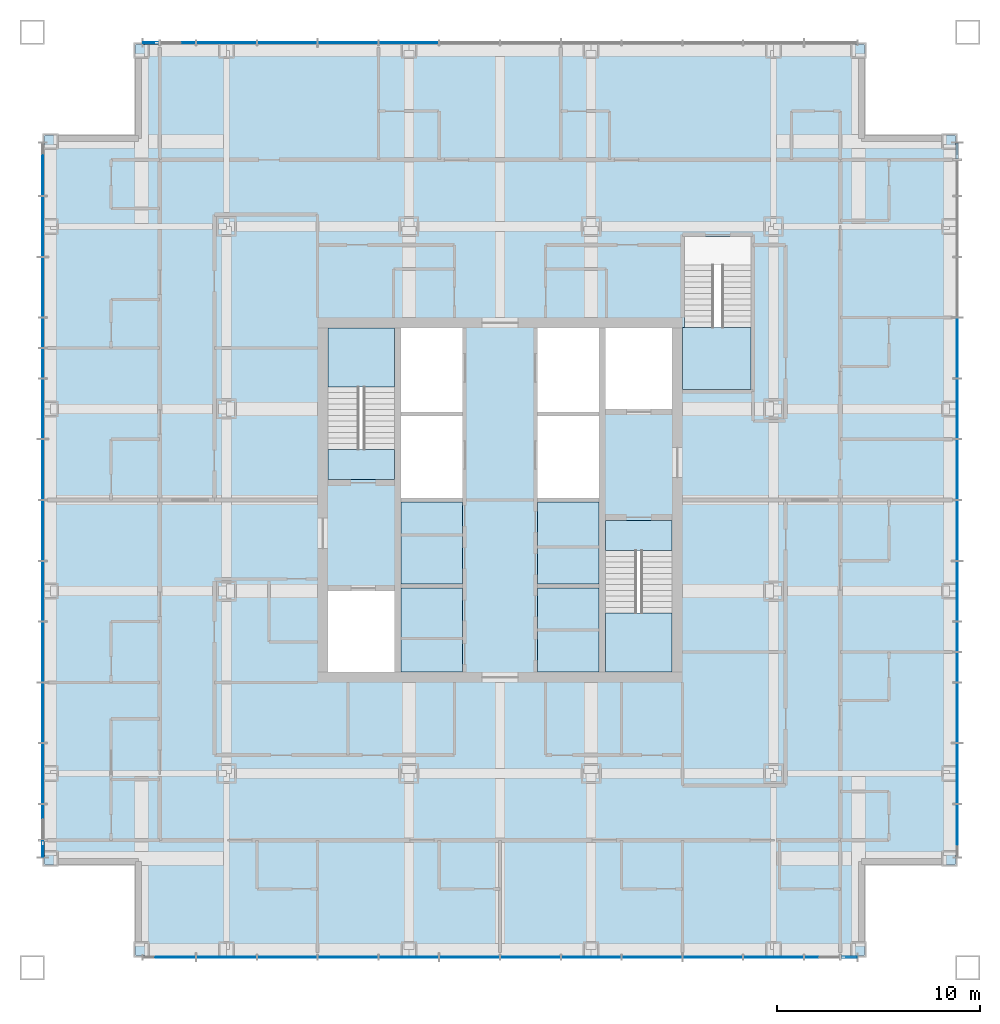
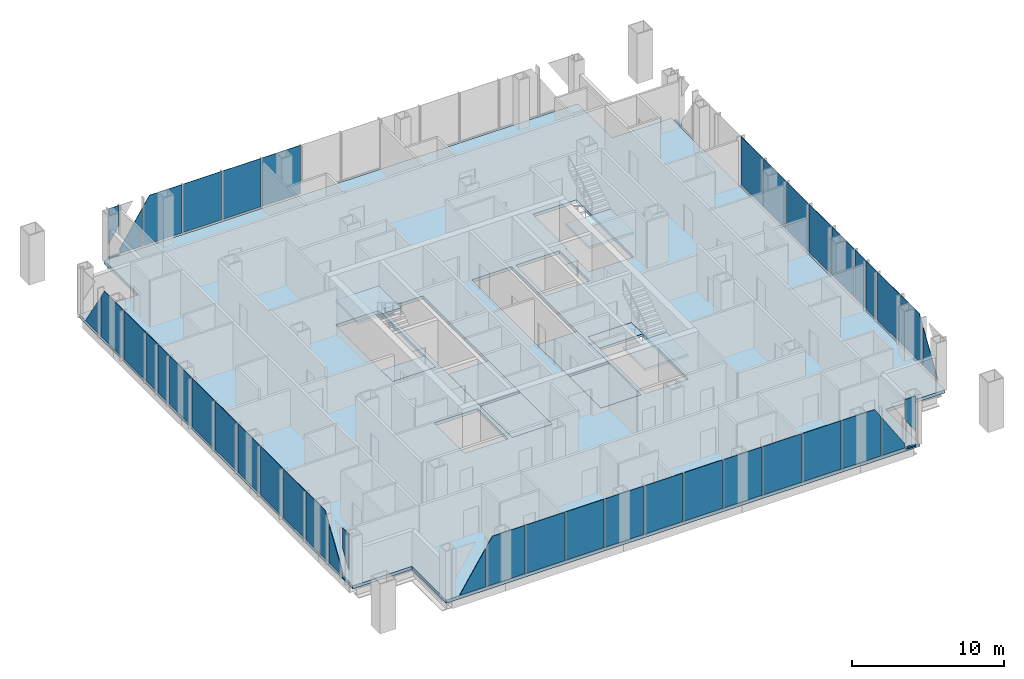
# One storey, part 5 of 15: 43 plates, 10 slabs, 4 members, 7 elements without a shape of their own.
"""IFC4 building model written with IfcOpenShell, lengths in metres."""

from ifc_helpers import new_model, si_unit, direction, frame, origin, origin_2d, place, context, subcontext, project, spatial, polyline, rectangle, outline, extrude, material, layer, layer_set, material_profile, profile_set, type_object, element, aggregate, save


model = new_model("IFC4")

# Units and contexts
model_context = context("Model", 3, precision=1e-05, world=origin(), true_north=direction((0.0, 1.0)))
body_context = subcontext(model_context, "Body", "Model", "MODEL_VIEW")
ifc_project = project(units=[si_unit("LENGTHUNIT", "METRE"), si_unit("AREAUNIT", "SQUARE_METRE"), si_unit("VOLUMEUNIT", "CUBIC_METRE"), si_unit("PLANEANGLEUNIT", "RADIAN"), si_unit("MASSUNIT", "GRAM", prefix="KILO")], contexts=[model_context])

# Site, building, storey
site_placement = place(None, origin())
site = spatial("IfcSite", under=ifc_project, at=site_placement, CompositionType="ELEMENT")
building_placement = place(site_placement, origin())
building = spatial("IfcBuilding", under=site, at=building_placement, Name="Malebo Sky Hospital", CompositionType="ELEMENT")
storey_placement = place(building_placement, frame((0.0, 0.0, 217.0)))
storey = spatial("IfcBuildingStorey", under=building, at=storey_placement, Name="L52", CompositionType="ELEMENT", Elevation=217.0)

# Curtain wall, member
ifc_material_1 = material(Name="Anodised aluminium, natural silver", Category="aluminium")
ifc_layer_1 = layer(ifc_material_1, 0.25)
ifc_layer_set_1 = layer_set([ifc_layer_1], Name="WARD CURTAIN WALL NORTH AND SOUTH")
curtain_wall_type_1 = type_object("IfcCurtainWallType", Name="WARD CURTAIN WALL NORTH AND SOUTH", PredefinedType="NOTDEFINED", material=ifc_layer_set_1)
curtain_wall_1_placement = place(storey_placement, origin())
curtain_wall_1 = element("IfcCurtainWall", 1, at=curtain_wall_1_placement, inside=storey, type_object=curtain_wall_type_1, Name="NS curtain wall N", PredefinedType="NOTDEFINED")
ifc_material_profile = material_profile(ifc_material_1, rectangle(XDim=0.14990234375, YDim=0.10009765625, at=origin_2d()), Name="ALUMINIUM TRANSOM 150x100")
ifc_profile_set = profile_set([ifc_material_profile], Name="Anodised aluminium, natural silver")
member_type = type_object("IfcMemberType", Name="ALUMINIUM TRANSOM 150x100", PredefinedType="USERDEFINED", material=ifc_profile_set)
member_1_placement = place(storey_placement, frame((42.375, 84.574951171875, 0.050048828125), z_axis=(1.0, 0.0, 0.0), x_axis=(0.0, 1.0, 0.0)))
member_1 = element("IfcMember", 2, at=member_1_placement, type_object=member_type, Name="Transom 1", ObjectType="TRANSOM", PredefinedType="USERDEFINED", context=body_context, shape_type="SweptSolid", body=[
    extrude(rectangle(XDim=0.14990234375, YDim=0.10009765625, at=origin_2d()), origin(), (0.0, 0.0, 1.0), 0.78759765625),
])

ifc_layer_2 = layer(ifc_material_1, 0.25)
ifc_layer_set_2 = layer_set([ifc_layer_2], Name="WARD CURTAIN WALL EAST AND WEST")
curtain_wall_type_2 = type_object("IfcCurtainWallType", Name="WARD CURTAIN WALL EAST AND WEST", PredefinedType="NOTDEFINED", material=ifc_layer_set_2)
curtain_wall_2_placement = place(storey_placement, origin())
curtain_wall_2 = element("IfcCurtainWall", 3, at=curtain_wall_2_placement, inside=storey, type_object=curtain_wall_type_2, Name="EW curtain wall W", PredefinedType="NOTDEFINED")
member_2_placement = place(storey_placement, frame((37.425048828125, 44.375, 0.050048828125), z_axis=(0.0, 1.0, 0.0), x_axis=(-1.0, 0.0, 0.0)))
member_2 = element("IfcMember", 4, at=member_2_placement, type_object=member_type, Name="Transom 1", ObjectType="TRANSOM", PredefinedType="USERDEFINED", context=body_context, shape_type="SweptSolid", body=[
    extrude(rectangle(XDim=0.14990234375, YDim=0.10009765625, at=origin_2d()), origin(), (0.0, 0.0, 1.0), 0.78759765625),
])

curtain_wall_3_placement = place(storey_placement, origin())
curtain_wall_3 = element("IfcCurtainWall", 5, at=curtain_wall_3_placement, inside=storey, type_object=curtain_wall_type_1, Name="NS curtain wall S", PredefinedType="NOTDEFINED")
member_3_placement = place(storey_placement, frame((77.625, 39.425048828125, 0.050048828125), z_axis=(-1.0, 0.0, 0.0), x_axis=(0.0, -1.0, 0.0)))
member_3 = element("IfcMember", 6, at=member_3_placement, type_object=member_type, Name="Transom 1", ObjectType="TRANSOM", PredefinedType="USERDEFINED", context=body_context, shape_type="SweptSolid", body=[
    extrude(rectangle(XDim=0.14990234375, YDim=0.10009765625, at=origin_2d()), origin(), (0.0, 0.0, 1.0), 0.78759765625),
])

curtain_wall_4_placement = place(storey_placement, origin())
curtain_wall_4 = element("IfcCurtainWall", 7, at=curtain_wall_4_placement, inside=storey, type_object=curtain_wall_type_2, Name="EW curtain wall E", PredefinedType="NOTDEFINED")
member_4_placement = place(storey_placement, frame((82.574951171875, 79.625, 0.050048828125), z_axis=(0.0, -1.0, 0.0), x_axis=(1.0, 0.0, 0.0)))
member_4 = element("IfcMember", 8, at=member_4_placement, type_object=member_type, Name="Transom 1", ObjectType="TRANSOM", PredefinedType="USERDEFINED", context=body_context, shape_type="SweptSolid", body=[
    extrude(rectangle(XDim=0.14990234375, YDim=0.10009765625, at=origin_2d()), origin(), (0.0, 0.0, 1.0), 0.78759765625),
])

# Slabs
ifc_material_2 = material(Name="Concrete C40/50", Category="concrete")
ifc_layer_3 = layer(ifc_material_2, 0.25)
ifc_layer_set_3 = layer_set([ifc_layer_3], Name="COMPOSITE FLOOR SLAB 250")
slab_type_1 = type_object("IfcSlabType", Name="COMPOSITE FLOOR SLAB 250", PredefinedType="FLOOR", material=ifc_layer_set_3)
slab_1_placement = place(storey_placement, frame((0.0, 0.0, -0.25)))
element("IfcSlab", 9, at=slab_1_placement, inside=storey, type_object=slab_type_1, Name="Floor slab L52", PredefinedType="FLOOR", context=body_context, shape_type="SweptSolid", body=[
    extrude(outline(polyline([(42.0, 84.5), (42.0, 80.0), (37.5, 80.0), (37.5, 44.0), (42.0, 44.0), (42.0, 39.5), (78.0, 39.5), (78.0, 44.0), (82.5, 44.0), (82.5, 80.0), (78.0, 80.0), (78.0, 84.5), (42.0, 84.5)]), holes=[polyline([(55.10009765625, 70.5), (58.14990234375, 70.5), (58.14990234375, 53.5), (55.10009765625, 53.5), (55.10009765625, 70.5)]), polyline([(64.89990234375, 70.5), (64.89990234375, 53.5), (61.85009765625, 53.5), (61.85009765625, 70.5), (64.89990234375, 70.5)]), polyline([(54.800048828125, 63.0), (51.5, 63.0), (51.5, 70.5), (54.800048828125, 70.5), (54.800048828125, 63.0)]), polyline([(51.5, 53.5), (51.5, 57.5), (54.800048828125, 57.5), (54.800048828125, 53.5), (51.5, 53.5)]), polyline([(65.199951171875, 61.0), (68.5, 61.0), (68.5, 53.5), (65.199951171875, 53.5), (65.199951171875, 61.0)]), polyline([(68.5, 70.5), (68.5, 66.5), (65.199951171875, 66.5), (65.199951171875, 70.5), (68.5, 70.5)]), polyline([(69.0, 67.449951171875), (69.0, 70.52001953125), (69.10009765625, 70.52001953125), (69.10009765625, 75.0), (72.39990234375, 75.0), (72.39990234375, 67.449951171875), (69.10009765625, 67.449951171875), (69.0, 67.449951171875)])]), origin(), (0.0, 0.0, 1.0), 0.25),
])
ifc_layer_4 = layer(ifc_material_2, 0.25)
ifc_layer_set_4 = layer_set([ifc_layer_4], Name="SHAFT INFILL SLAB 250")
slab_type_2 = type_object("IfcSlabType", Name="SHAFT INFILL SLAB 250", PredefinedType="FLOOR", material=ifc_layer_set_4)
slab_2_placement = place(storey_placement, frame((0.0, 0.0, -0.25)))
element("IfcSlab", 10, at=slab_2_placement, inside=storey, type_object=slab_type_2, Name="Shaft infill slab W1 L52", PredefinedType="FLOOR", context=body_context, shape_type="SweptSolid", body=[
    extrude(outline(polyline([(55.10009765625, 53.5), (58.14990234375, 53.5), (58.14990234375, 57.64990234375), (55.10009765625, 57.64990234375), (55.10009765625, 53.5)])), origin(), (0.0, 0.0, 1.0), 0.25),
])
slab_3_placement = place(storey_placement, frame((0.0, 0.0, -0.25)))
element("IfcSlab", 11, at=slab_3_placement, inside=storey, type_object=slab_type_2, Name="Shaft infill slab W2 L52", PredefinedType="FLOOR", context=body_context, shape_type="SweptSolid", body=[
    extrude(outline(polyline([(55.10009765625, 57.85009765625), (58.14990234375, 57.85009765625), (58.14990234375, 61.89990234375), (55.10009765625, 61.89990234375), (55.10009765625, 57.85009765625)])), origin(), (0.0, 0.0, 1.0), 0.25),
])
slab_4_placement = place(storey_placement, frame((0.0, 0.0, -0.25)))
element("IfcSlab", 12, at=slab_4_placement, inside=storey, type_object=slab_type_2, Name="Shaft infill slab E1 L52", PredefinedType="FLOOR", context=body_context, shape_type="SweptSolid", body=[
    extrude(outline(polyline([(61.85009765625, 53.5), (64.89990234375, 53.5), (64.89990234375, 57.64990234375), (61.85009765625, 57.64990234375), (61.85009765625, 53.5)])), origin(), (0.0, 0.0, 1.0), 0.25),
])
slab_5_placement = place(storey_placement, frame((0.0, 0.0, -0.25)))
element("IfcSlab", 13, at=slab_5_placement, inside=storey, type_object=slab_type_2, Name="Shaft infill slab E2 L52", PredefinedType="FLOOR", context=body_context, shape_type="SweptSolid", body=[
    extrude(outline(polyline([(61.85009765625, 57.85009765625), (64.89990234375, 57.85009765625), (64.89990234375, 61.89990234375), (61.85009765625, 61.89990234375), (61.85009765625, 57.85009765625)])), origin(), (0.0, 0.0, 1.0), 0.25),
])

# Stair, slabs
stair_type_1 = type_object("IfcStairType", Name="HALF-TURN STAIR 1500 R167", PredefinedType="HALF_TURN_STAIR", material=ifc_material_2)
stair_1_placement = place(storey_placement, origin())
stair_1 = element("IfcStair", 14, at=stair_1_placement, inside=storey, type_object=stair_type_1, Name="Stair S1 L52 type ST1", PredefinedType="HALF_TURN_STAIR")
ifc_layer_5 = layer(ifc_material_2, 0.199951171875)
ifc_layer_set_5 = layer_set([ifc_layer_5], Name="STAIR LANDING 200")
slab_type_3 = type_object("IfcSlabType", Name="STAIR LANDING 200", PredefinedType="LANDING", material=ifc_layer_set_5)
slab_6_placement = place(storey_placement, frame((0.0, 0.0, -0.199951171875)))
slab_6 = element("IfcSlab", 15, at=slab_6_placement, type_object=slab_type_3, Name="S1 landing 1", PredefinedType="LANDING", context=body_context, shape_type="SweptSolid", body=[
    extrude(outline(polyline([(51.5, 63.0), (54.800048828125, 63.0), (54.800048828125, 64.5), (51.5, 64.5), (51.5, 63.0)])), origin(), (0.0, 0.0, 1.0), 0.199951171875),
])
slab_7_placement = place(storey_placement, frame((0.0, 0.0, 1.800048828125)))
slab_7 = element("IfcSlab", 16, at=slab_7_placement, type_object=slab_type_3, Name="S1 landing 2", PredefinedType="LANDING", context=body_context, shape_type="SweptSolid", body=[
    extrude(outline(polyline([(51.5, 67.580078125), (54.800048828125, 67.580078125), (54.800048828125, 70.5), (51.5, 70.5), (51.5, 67.580078125)])), origin(), (0.0, 0.0, 1.0), 0.199951171875),
])
aggregate(stair_1, [slab_6, slab_7])

stair_2_placement = place(storey_placement, origin())
stair_2 = element("IfcStair", 17, at=stair_2_placement, inside=storey, type_object=stair_type_1, Name="Stair S2 L52 type ST1", PredefinedType="HALF_TURN_STAIR")
slab_8_placement = place(storey_placement, frame((0.0, 0.0, -0.199951171875)))
slab_8 = element("IfcSlab", 18, at=slab_8_placement, type_object=slab_type_3, Name="S2 landing 1", PredefinedType="LANDING", context=body_context, shape_type="SweptSolid", body=[
    extrude(outline(polyline([(65.199951171875, 59.5), (68.5, 59.5), (68.5, 61.0), (65.199951171875, 61.0), (65.199951171875, 59.5)])), origin(), (0.0, 0.0, 1.0), 0.199951171875),
])
slab_9_placement = place(storey_placement, frame((0.0, 0.0, 1.800048828125)))
slab_9 = element("IfcSlab", 19, at=slab_9_placement, type_object=slab_type_3, Name="S2 landing 2", PredefinedType="LANDING", context=body_context, shape_type="SweptSolid", body=[
    extrude(outline(polyline([(65.199951171875, 53.5), (68.5, 53.5), (68.5, 56.419921875), (65.199951171875, 56.419921875), (65.199951171875, 53.5)])), origin(), (0.0, 0.0, 1.0), 0.199951171875),
])
aggregate(stair_2, [slab_8, slab_9])

# Stair, slab
stair_type_2 = type_object("IfcStairType", Name="HALF-TURN STAIR 1400 R167", PredefinedType="HALF_TURN_STAIR", material=ifc_material_2)
stair_3_placement = place(storey_placement, origin())
stair_3 = element("IfcStair", 20, at=stair_3_placement, inside=storey, type_object=stair_type_2, Name="Stair S3 L52 type ST1B", PredefinedType="HALF_TURN_STAIR")
slab_10_placement = place(storey_placement, frame((0.0, 0.0, 1.800048828125)))
slab_10 = element("IfcSlab", 21, at=slab_10_placement, type_object=slab_type_3, Name="S3 landing 2", PredefinedType="LANDING", context=body_context, shape_type="SweptSolid", body=[
    extrude(outline(polyline([(69.0, 67.449951171875), (72.39990234375, 67.449951171875), (72.39990234375, 70.52001953125), (69.0, 70.52001953125), (69.0, 67.449951171875)])), origin(), (0.0, 0.0, 1.0), 0.199951171875),
])
aggregate(stair_3, [slab_10])

# Plate
ifc_material_3 = material(Name="Clear low-iron double glazing", Category="glass")
ifc_layer_6 = layer(ifc_material_3, 0.031982421875)
ifc_layer_set_6 = layer_set([ifc_layer_6], Name="VISION PANEL CLEAR 32")
plate_type = type_object("IfcPlateType", Name="VISION PANEL CLEAR 32", PredefinedType="CURTAIN_PANEL", material=ifc_layer_set_6)
plate_1_placement = place(storey_placement, frame((42.768798828125, 84.574951171875, 1.105712890625), z_axis=(0.0, 0.0, 1.0), x_axis=(1.0, 0.0, 0.0)))
plate_1 = element("IfcPlate", 22, at=plate_1_placement, type_object=plate_type, Name="Panel 1", PredefinedType="CURTAIN_PANEL", context=body_context, shape_type="SweptSolid", body=[
    extrude(outline(polyline([(-0.393798828125, 0.0), (0.393798828125, 1.227294921875), (0.393798828125, 2.88427734375), (-0.393798828125, 2.88427734375), (-0.393798828125, 0.0)])), frame((0.0, 0.01611328125, 0.0), z_axis=(0.0, -1.0, 0.0), x_axis=(1.0, 0.0, 0.0)), (0.0, 0.0, 1.0), 0.031982421875),
])

plate_2_placement = place(storey_placement, frame((44.10009765625, 84.574951171875, 0.10009765625), z_axis=(0.0, 0.0, 1.0), x_axis=(1.0, 0.0, 0.0)))
plate_2 = element("IfcPlate", 23, at=plate_2_placement, type_object=plate_type, Name="Panel 2", PredefinedType="CURTAIN_PANEL", context=body_context, shape_type="SweptSolid", body=[
    extrude(outline(polyline([(-0.862548828125, 0.0), (0.862548828125, 0.0), (0.862548828125, 3.092041015625), (-0.862548828125, 0.40380859375), (-0.862548828125, 0.0)])), frame((0.0, 0.01611328125, 0.0), z_axis=(0.0, -1.0, 0.0), x_axis=(1.0, 0.0, 0.0)), (0.0, 0.0, 1.0), 0.031982421875),
])

plate_3_placement = place(storey_placement, frame((46.5, 84.574951171875, 0.10009765625), z_axis=(0.0, 0.0, 1.0), x_axis=(1.0, 0.0, 0.0)))
plate_3 = element("IfcPlate", 24, at=plate_3_placement, type_object=plate_type, Name="Panel 3", PredefinedType="CURTAIN_PANEL", context=body_context, shape_type="SweptSolid", body=[
    extrude(outline(polyline([(-1.46240234375, 0.0), (1.46240234375, 0.0), (1.46240234375, 3.889892578125), (-1.025390625, 3.889892578125), (-1.46240234375, 3.208984375), (-1.46240234375, 0.0)])), frame((0.0, 0.01611328125, 0.0), z_axis=(0.0, -1.0, 0.0), x_axis=(1.0, 0.0, 0.0)), (0.0, 0.0, 1.0), 0.031982421875),
])

plate_4_placement = place(storey_placement, frame((49.5, 84.574951171875, 0.10009765625), z_axis=(0.0, 0.0, 1.0), x_axis=(1.0, 0.0, 0.0)))
plate_4 = element("IfcPlate", 25, at=plate_4_placement, type_object=plate_type, Name="Panel 4", PredefinedType="CURTAIN_PANEL", context=body_context, shape_type="SweptSolid", body=[
    extrude(rectangle(XDim=2.925048828125, YDim=0.031982421875, at=origin_2d()), origin(), (0.0, 0.0, 1.0), 3.889892578125),
])

plate_5_placement = place(storey_placement, frame((52.5, 84.574951171875, 0.10009765625), z_axis=(0.0, 0.0, 1.0), x_axis=(1.0, 0.0, 0.0)))
plate_5 = element("IfcPlate", 26, at=plate_5_placement, type_object=plate_type, Name="Panel 5", PredefinedType="CURTAIN_PANEL", context=body_context, shape_type="SweptSolid", body=[
    extrude(rectangle(XDim=2.925048828125, YDim=0.031982421875, at=origin_2d()), origin(), (0.0, 0.0, 1.0), 3.889892578125),
])

plate_6_placement = place(storey_placement, frame((55.5, 84.574951171875, 0.10009765625), z_axis=(0.0, 0.0, 1.0), x_axis=(1.0, 0.0, 0.0)))
plate_6 = element("IfcPlate", 27, at=plate_6_placement, type_object=plate_type, Name="Panel 6", PredefinedType="CURTAIN_PANEL", context=body_context, shape_type="SweptSolid", body=[
    extrude(rectangle(XDim=2.925048828125, YDim=0.031982421875, at=origin_2d()), origin(), (0.0, 0.0, 1.0), 3.889892578125),
])

aggregate(curtain_wall_1, [member_1, plate_1, plate_2, plate_3, plate_4, plate_5, plate_6])

plate_7_placement = place(storey_placement, frame((37.425048828125, 44.768798828125, 1.105712890625), z_axis=(0.0, 0.0, 1.0), x_axis=(0.0, 1.0, 0.0)))
plate_7 = element("IfcPlate", 28, at=plate_7_placement, type_object=plate_type, Name="Panel 1", PredefinedType="CURTAIN_PANEL", context=body_context, shape_type="SweptSolid", body=[
    extrude(outline(polyline([(-0.393798828125, 0.0), (0.393798828125, 1.227294921875), (0.393798828125, 2.88427734375), (-0.393798828125, 2.88427734375), (-0.393798828125, 0.0)])), frame((0.0, 0.01611328125, 0.0), z_axis=(0.0, -1.0, 0.0), x_axis=(1.0, 0.0, 0.0)), (0.0, 0.0, 1.0), 0.031982421875),
])

plate_8_placement = place(storey_placement, frame((37.425048828125, 46.10009765625, 0.10009765625), z_axis=(0.0, 0.0, 1.0), x_axis=(0.0, 1.0, 0.0)))
plate_8 = element("IfcPlate", 29, at=plate_8_placement, type_object=plate_type, Name="Panel 2", PredefinedType="CURTAIN_PANEL", context=body_context, shape_type="SweptSolid", body=[
    extrude(outline(polyline([(-0.862548828125, 0.0), (0.862548828125, 0.0), (0.862548828125, 3.092041015625), (-0.862548828125, 0.40380859375), (-0.862548828125, 0.0)])), frame((0.0, 0.01611328125, 0.0), z_axis=(0.0, -1.0, 0.0), x_axis=(1.0, 0.0, 0.0)), (0.0, 0.0, 1.0), 0.031982421875),
])

plate_9_placement = place(storey_placement, frame((37.425048828125, 48.5, 0.10009765625), z_axis=(0.0, 0.0, 1.0), x_axis=(0.0, 1.0, 0.0)))
plate_9 = element("IfcPlate", 30, at=plate_9_placement, type_object=plate_type, Name="Panel 3", PredefinedType="CURTAIN_PANEL", context=body_context, shape_type="SweptSolid", body=[
    extrude(outline(polyline([(-1.46240234375, 0.0), (1.46240234375, 0.0), (1.46240234375, 3.889892578125), (-1.025390625, 3.889892578125), (-1.46240234375, 3.208984375), (-1.46240234375, 0.0)])), frame((0.0, 0.01611328125, 0.0), z_axis=(0.0, -1.0, 0.0), x_axis=(1.0, 0.0, 0.0)), (0.0, 0.0, 1.0), 0.031982421875),
])

plate_10_placement = place(storey_placement, frame((37.425048828125, 51.5, 0.10009765625), z_axis=(0.0, 0.0, 1.0), x_axis=(0.0, 1.0, 0.0)))
plate_10 = element("IfcPlate", 31, at=plate_10_placement, type_object=plate_type, Name="Panel 4", PredefinedType="CURTAIN_PANEL", context=body_context, shape_type="SweptSolid", body=[
    extrude(rectangle(XDim=2.925048828125, YDim=0.031982421875, at=origin_2d()), origin(), (0.0, 0.0, 1.0), 3.889892578125),
])

plate_11_placement = place(storey_placement, frame((37.425048828125, 54.5, 0.10009765625), z_axis=(0.0, 0.0, 1.0), x_axis=(0.0, 1.0, 0.0)))
plate_11 = element("IfcPlate", 32, at=plate_11_placement, type_object=plate_type, Name="Panel 5", PredefinedType="CURTAIN_PANEL", context=body_context, shape_type="SweptSolid", body=[
    extrude(rectangle(XDim=2.925048828125, YDim=0.031982421875, at=origin_2d()), origin(), (0.0, 0.0, 1.0), 3.889892578125),
])

plate_12_placement = place(storey_placement, frame((37.425048828125, 57.5, 0.10009765625), z_axis=(0.0, 0.0, 1.0), x_axis=(0.0, 1.0, 0.0)))
plate_12 = element("IfcPlate", 33, at=plate_12_placement, type_object=plate_type, Name="Panel 6", PredefinedType="CURTAIN_PANEL", context=body_context, shape_type="SweptSolid", body=[
    extrude(rectangle(XDim=2.925048828125, YDim=0.031982421875, at=origin_2d()), origin(), (0.0, 0.0, 1.0), 3.889892578125),
])

plate_13_placement = place(storey_placement, frame((37.425048828125, 60.5, 0.10009765625), z_axis=(0.0, 0.0, 1.0), x_axis=(0.0, 1.0, 0.0)))
plate_13 = element("IfcPlate", 34, at=plate_13_placement, type_object=plate_type, Name="Panel 7", PredefinedType="CURTAIN_PANEL", context=body_context, shape_type="SweptSolid", body=[
    extrude(rectangle(XDim=2.925048828125, YDim=0.031982421875, at=origin_2d()), origin(), (0.0, 0.0, 1.0), 3.889892578125),
])

plate_14_placement = place(storey_placement, frame((37.425048828125, 63.5, 0.10009765625), z_axis=(0.0, 0.0, 1.0), x_axis=(0.0, 1.0, 0.0)))
plate_14 = element("IfcPlate", 35, at=plate_14_placement, type_object=plate_type, Name="Panel 8", PredefinedType="CURTAIN_PANEL", context=body_context, shape_type="SweptSolid", body=[
    extrude(rectangle(XDim=2.925048828125, YDim=0.031982421875, at=origin_2d()), origin(), (0.0, 0.0, 1.0), 3.889892578125),
])

plate_15_placement = place(storey_placement, frame((37.425048828125, 66.5, 0.10009765625), z_axis=(0.0, 0.0, 1.0), x_axis=(0.0, 1.0, 0.0)))
plate_15 = element("IfcPlate", 36, at=plate_15_placement, type_object=plate_type, Name="Panel 9", PredefinedType="CURTAIN_PANEL", context=body_context, shape_type="SweptSolid", body=[
    extrude(rectangle(XDim=2.925048828125, YDim=0.031982421875, at=origin_2d()), origin(), (0.0, 0.0, 1.0), 3.889892578125),
])

plate_16_placement = place(storey_placement, frame((37.425048828125, 68.75, 0.10009765625), z_axis=(0.0, 0.0, 1.0), x_axis=(0.0, 1.0, 0.0)))
plate_16 = element("IfcPlate", 37, at=plate_16_placement, type_object=plate_type, Name="Panel 10", PredefinedType="CURTAIN_PANEL", context=body_context, shape_type="SweptSolid", body=[
    extrude(rectangle(XDim=1.425048828125, YDim=0.031982421875, at=origin_2d()), origin(), (0.0, 0.0, 1.0), 3.889892578125),
])

plate_17_placement = place(storey_placement, frame((37.425048828125, 70.25, 0.10009765625), z_axis=(0.0, 0.0, 1.0), x_axis=(0.0, 1.0, 0.0)))
plate_17 = element("IfcPlate", 38, at=plate_17_placement, type_object=plate_type, Name="Panel 11", PredefinedType="CURTAIN_PANEL", context=body_context, shape_type="SweptSolid", body=[
    extrude(rectangle(XDim=1.425048828125, YDim=0.031982421875, at=origin_2d()), origin(), (0.0, 0.0, 1.0), 3.889892578125),
])

plate_18_placement = place(storey_placement, frame((37.425048828125, 72.5, 0.10009765625), z_axis=(0.0, 0.0, 1.0), x_axis=(0.0, 1.0, 0.0)))
plate_18 = element("IfcPlate", 39, at=plate_18_placement, type_object=plate_type, Name="Panel 12", PredefinedType="CURTAIN_PANEL", context=body_context, shape_type="SweptSolid", body=[
    extrude(rectangle(XDim=2.925048828125, YDim=0.031982421875, at=origin_2d()), origin(), (0.0, 0.0, 1.0), 3.889892578125),
])

plate_19_placement = place(storey_placement, frame((37.425048828125, 75.5, 0.10009765625), z_axis=(0.0, 0.0, 1.0), x_axis=(0.0, 1.0, 0.0)))
plate_19 = element("IfcPlate", 40, at=plate_19_placement, type_object=plate_type, Name="Panel 13", PredefinedType="CURTAIN_PANEL", context=body_context, shape_type="SweptSolid", body=[
    extrude(outline(polyline([(-1.46240234375, 0.0), (1.46240234375, 0.0), (1.46240234375, 3.208984375), (1.025390625, 3.889892578125), (-1.46240234375, 3.889892578125), (-1.46240234375, 0.0)])), frame((0.0, 0.01611328125, 0.0), z_axis=(0.0, -1.0, 0.0), x_axis=(1.0, 0.0, 0.0)), (0.0, 0.0, 1.0), 0.031982421875),
])

plate_20_placement = place(storey_placement, frame((37.425048828125, 78.029541015625, 0.10009765625), z_axis=(0.0, 0.0, 1.0), x_axis=(0.0, 1.0, 0.0)))
plate_20 = element("IfcPlate", 41, at=plate_20_placement, type_object=plate_type, Name="Panel 14", PredefinedType="CURTAIN_PANEL", context=body_context, shape_type="SweptSolid", body=[
    extrude(outline(polyline([(-0.991943359375, 0.0), (0.991943359375, 0.0), (-0.991943359375, 3.092041015625), (-0.991943359375, 0.0)])), frame((0.0, 0.01611328125, 0.0), z_axis=(0.0, -1.0, 0.0), x_axis=(1.0, 0.0, 0.0)), (0.0, 0.0, 1.0), 0.031982421875),
])

aggregate(curtain_wall_2, [member_2, plate_7, plate_8, plate_9, plate_10, plate_11, plate_12, plate_13, plate_14, plate_15, plate_16, plate_17, plate_18, plate_19, plate_20])

plate_21_placement = place(storey_placement, frame((77.231201171875, 39.425048828125, 1.105712890625), z_axis=(0.0, 0.0, 1.0), x_axis=(-1.0, 0.0, 0.0)))
plate_21 = element("IfcPlate", 42, at=plate_21_placement, type_object=plate_type, Name="Panel 1", PredefinedType="CURTAIN_PANEL", context=body_context, shape_type="SweptSolid", body=[
    extrude(outline(polyline([(-0.393798828125, 0.0), (0.393798828125, 1.227294921875), (0.393798828125, 2.88427734375), (-0.393798828125, 2.88427734375), (-0.393798828125, 0.0)])), frame((0.0, 0.01611328125, 0.0), z_axis=(0.0, -1.0, 0.0), x_axis=(1.0, 0.0, 0.0)), (0.0, 0.0, 1.0), 0.031982421875),
])

plate_22_placement = place(storey_placement, frame((75.89990234375, 39.425048828125, 0.10009765625), z_axis=(0.0, 0.0, 1.0), x_axis=(-1.0, 0.0, 0.0)))
plate_22 = element("IfcPlate", 43, at=plate_22_placement, type_object=plate_type, Name="Panel 2", PredefinedType="CURTAIN_PANEL", context=body_context, shape_type="SweptSolid", body=[
    extrude(outline(polyline([(-0.862548828125, 0.0), (0.862548828125, 0.0), (0.862548828125, 3.092041015625), (-0.862548828125, 0.40380859375), (-0.862548828125, 0.0)])), frame((0.0, 0.01611328125, 0.0), z_axis=(0.0, -1.0, 0.0), x_axis=(1.0, 0.0, 0.0)), (0.0, 0.0, 1.0), 0.031982421875),
])

plate_23_placement = place(storey_placement, frame((73.5, 39.425048828125, 0.10009765625), z_axis=(0.0, 0.0, 1.0), x_axis=(-1.0, 0.0, 0.0)))
plate_23 = element("IfcPlate", 44, at=plate_23_placement, type_object=plate_type, Name="Panel 3", PredefinedType="CURTAIN_PANEL", context=body_context, shape_type="SweptSolid", body=[
    extrude(outline(polyline([(-1.46240234375, 0.0), (1.46240234375, 0.0), (1.46240234375, 3.889892578125), (-1.025390625, 3.889892578125), (-1.46240234375, 3.208984375), (-1.46240234375, 0.0)])), frame((0.0, 0.01611328125, 0.0), z_axis=(0.0, -1.0, 0.0), x_axis=(1.0, 0.0, 0.0)), (0.0, 0.0, 1.0), 0.031982421875),
])

plate_24_placement = place(storey_placement, frame((70.5, 39.425048828125, 0.10009765625), z_axis=(0.0, 0.0, 1.0), x_axis=(-1.0, 0.0, 0.0)))
plate_24 = element("IfcPlate", 45, at=plate_24_placement, type_object=plate_type, Name="Panel 4", PredefinedType="CURTAIN_PANEL", context=body_context, shape_type="SweptSolid", body=[
    extrude(rectangle(XDim=2.925048828125, YDim=0.031982421875, at=origin_2d()), origin(), (0.0, 0.0, 1.0), 3.889892578125),
])

plate_25_placement = place(storey_placement, frame((67.5, 39.425048828125, 0.10009765625), z_axis=(0.0, 0.0, 1.0), x_axis=(-1.0, 0.0, 0.0)))
plate_25 = element("IfcPlate", 46, at=plate_25_placement, type_object=plate_type, Name="Panel 5", PredefinedType="CURTAIN_PANEL", context=body_context, shape_type="SweptSolid", body=[
    extrude(rectangle(XDim=2.925048828125, YDim=0.031982421875, at=origin_2d()), origin(), (0.0, 0.0, 1.0), 3.889892578125),
])

plate_26_placement = place(storey_placement, frame((64.5, 39.425048828125, 0.10009765625), z_axis=(0.0, 0.0, 1.0), x_axis=(-1.0, 0.0, 0.0)))
plate_26 = element("IfcPlate", 47, at=plate_26_placement, type_object=plate_type, Name="Panel 6", PredefinedType="CURTAIN_PANEL", context=body_context, shape_type="SweptSolid", body=[
    extrude(rectangle(XDim=2.925048828125, YDim=0.031982421875, at=origin_2d()), origin(), (0.0, 0.0, 1.0), 3.889892578125),
])

plate_27_placement = place(storey_placement, frame((61.5, 39.425048828125, 0.10009765625), z_axis=(0.0, 0.0, 1.0), x_axis=(-1.0, 0.0, 0.0)))
plate_27 = element("IfcPlate", 48, at=plate_27_placement, type_object=plate_type, Name="Panel 7", PredefinedType="CURTAIN_PANEL", context=body_context, shape_type="SweptSolid", body=[
    extrude(rectangle(XDim=2.925048828125, YDim=0.031982421875, at=origin_2d()), origin(), (0.0, 0.0, 1.0), 3.889892578125),
])

plate_28_placement = place(storey_placement, frame((58.5, 39.425048828125, 0.10009765625), z_axis=(0.0, 0.0, 1.0), x_axis=(-1.0, 0.0, 0.0)))
plate_28 = element("IfcPlate", 49, at=plate_28_placement, type_object=plate_type, Name="Panel 8", PredefinedType="CURTAIN_PANEL", context=body_context, shape_type="SweptSolid", body=[
    extrude(rectangle(XDim=2.925048828125, YDim=0.031982421875, at=origin_2d()), origin(), (0.0, 0.0, 1.0), 3.889892578125),
])

plate_29_placement = place(storey_placement, frame((55.5, 39.425048828125, 0.10009765625), z_axis=(0.0, 0.0, 1.0), x_axis=(-1.0, 0.0, 0.0)))
plate_29 = element("IfcPlate", 50, at=plate_29_placement, type_object=plate_type, Name="Panel 9", PredefinedType="CURTAIN_PANEL", context=body_context, shape_type="SweptSolid", body=[
    extrude(rectangle(XDim=2.925048828125, YDim=0.031982421875, at=origin_2d()), origin(), (0.0, 0.0, 1.0), 3.889892578125),
])

plate_30_placement = place(storey_placement, frame((52.5, 39.425048828125, 0.10009765625), z_axis=(0.0, 0.0, 1.0), x_axis=(-1.0, 0.0, 0.0)))
plate_30 = element("IfcPlate", 51, at=plate_30_placement, type_object=plate_type, Name="Panel 10", PredefinedType="CURTAIN_PANEL", context=body_context, shape_type="SweptSolid", body=[
    extrude(rectangle(XDim=2.925048828125, YDim=0.031982421875, at=origin_2d()), origin(), (0.0, 0.0, 1.0), 3.889892578125),
])

plate_31_placement = place(storey_placement, frame((49.5, 39.425048828125, 0.10009765625), z_axis=(0.0, 0.0, 1.0), x_axis=(-1.0, 0.0, 0.0)))
plate_31 = element("IfcPlate", 52, at=plate_31_placement, type_object=plate_type, Name="Panel 11", PredefinedType="CURTAIN_PANEL", context=body_context, shape_type="SweptSolid", body=[
    extrude(rectangle(XDim=2.925048828125, YDim=0.031982421875, at=origin_2d()), origin(), (0.0, 0.0, 1.0), 3.889892578125),
])

plate_32_placement = place(storey_placement, frame((46.5, 39.425048828125, 0.10009765625), z_axis=(0.0, 0.0, 1.0), x_axis=(-1.0, 0.0, 0.0)))
plate_32 = element("IfcPlate", 53, at=plate_32_placement, type_object=plate_type, Name="Panel 12", PredefinedType="CURTAIN_PANEL", context=body_context, shape_type="SweptSolid", body=[
    extrude(outline(polyline([(-1.46240234375, 0.0), (1.46240234375, 0.0), (1.46240234375, 3.208984375), (1.025390625, 3.889892578125), (-1.46240234375, 3.889892578125), (-1.46240234375, 0.0)])), frame((0.0, 0.01611328125, 0.0), z_axis=(0.0, -1.0, 0.0), x_axis=(1.0, 0.0, 0.0)), (0.0, 0.0, 1.0), 0.031982421875),
])

plate_33_placement = place(storey_placement, frame((43.970458984375, 39.425048828125, 0.10009765625), z_axis=(0.0, 0.0, 1.0), x_axis=(-1.0, 0.0, 0.0)))
plate_33 = element("IfcPlate", 54, at=plate_33_placement, type_object=plate_type, Name="Panel 13", PredefinedType="CURTAIN_PANEL", context=body_context, shape_type="SweptSolid", body=[
    extrude(outline(polyline([(-0.991943359375, 0.0), (0.991943359375, 0.0), (-0.991943359375, 3.092041015625), (-0.991943359375, 0.0)])), frame((0.0, 0.01611328125, 0.0), z_axis=(0.0, -1.0, 0.0), x_axis=(1.0, 0.0, 0.0)), (0.0, 0.0, 1.0), 0.031982421875),
])

aggregate(curtain_wall_3, [member_3, plate_21, plate_22, plate_23, plate_24, plate_25, plate_26, plate_27, plate_28, plate_29, plate_30, plate_31, plate_32, plate_33])

plate_34_placement = place(storey_placement, frame((82.574951171875, 69.5, 0.10009765625), z_axis=(0.0, 0.0, 1.0), x_axis=(0.0, -1.0, 0.0)))
plate_34 = element("IfcPlate", 55, at=plate_34_placement, type_object=plate_type, Name="Panel 5", PredefinedType="CURTAIN_PANEL", context=body_context, shape_type="SweptSolid", body=[
    extrude(rectangle(XDim=2.925048828125, YDim=0.031982421875, at=origin_2d()), origin(), (0.0, 0.0, 1.0), 3.889892578125),
])

plate_35_placement = place(storey_placement, frame((82.574951171875, 66.5, 0.10009765625), z_axis=(0.0, 0.0, 1.0), x_axis=(0.0, -1.0, 0.0)))
plate_35 = element("IfcPlate", 56, at=plate_35_placement, type_object=plate_type, Name="Panel 6", PredefinedType="CURTAIN_PANEL", context=body_context, shape_type="SweptSolid", body=[
    extrude(rectangle(XDim=2.925048828125, YDim=0.031982421875, at=origin_2d()), origin(), (0.0, 0.0, 1.0), 3.889892578125),
])

plate_36_placement = place(storey_placement, frame((82.574951171875, 63.5, 0.10009765625), z_axis=(0.0, 0.0, 1.0), x_axis=(0.0, -1.0, 0.0)))
plate_36 = element("IfcPlate", 57, at=plate_36_placement, type_object=plate_type, Name="Panel 7", PredefinedType="CURTAIN_PANEL", context=body_context, shape_type="SweptSolid", body=[
    extrude(rectangle(XDim=2.925048828125, YDim=0.031982421875, at=origin_2d()), origin(), (0.0, 0.0, 1.0), 3.889892578125),
])

plate_37_placement = place(storey_placement, frame((82.574951171875, 60.5, 0.10009765625), z_axis=(0.0, 0.0, 1.0), x_axis=(0.0, -1.0, 0.0)))
plate_37 = element("IfcPlate", 58, at=plate_37_placement, type_object=plate_type, Name="Panel 8", PredefinedType="CURTAIN_PANEL", context=body_context, shape_type="SweptSolid", body=[
    extrude(rectangle(XDim=2.925048828125, YDim=0.031982421875, at=origin_2d()), origin(), (0.0, 0.0, 1.0), 3.889892578125),
])

plate_38_placement = place(storey_placement, frame((82.574951171875, 57.5, 0.10009765625), z_axis=(0.0, 0.0, 1.0), x_axis=(0.0, -1.0, 0.0)))
plate_38 = element("IfcPlate", 59, at=plate_38_placement, type_object=plate_type, Name="Panel 9", PredefinedType="CURTAIN_PANEL", context=body_context, shape_type="SweptSolid", body=[
    extrude(rectangle(XDim=2.925048828125, YDim=0.031982421875, at=origin_2d()), origin(), (0.0, 0.0, 1.0), 3.889892578125),
])

plate_39_placement = place(storey_placement, frame((82.574951171875, 55.25, 0.10009765625), z_axis=(0.0, 0.0, 1.0), x_axis=(0.0, -1.0, 0.0)))
plate_39 = element("IfcPlate", 60, at=plate_39_placement, type_object=plate_type, Name="Panel 10", PredefinedType="CURTAIN_PANEL", context=body_context, shape_type="SweptSolid", body=[
    extrude(rectangle(XDim=1.425048828125, YDim=0.031982421875, at=origin_2d()), origin(), (0.0, 0.0, 1.0), 3.889892578125),
])

plate_40_placement = place(storey_placement, frame((82.574951171875, 53.75, 0.10009765625), z_axis=(0.0, 0.0, 1.0), x_axis=(0.0, -1.0, 0.0)))
plate_40 = element("IfcPlate", 61, at=plate_40_placement, type_object=plate_type, Name="Panel 11", PredefinedType="CURTAIN_PANEL", context=body_context, shape_type="SweptSolid", body=[
    extrude(rectangle(XDim=1.425048828125, YDim=0.031982421875, at=origin_2d()), origin(), (0.0, 0.0, 1.0), 3.889892578125),
])

plate_41_placement = place(storey_placement, frame((82.574951171875, 51.5, 0.10009765625), z_axis=(0.0, 0.0, 1.0), x_axis=(0.0, -1.0, 0.0)))
plate_41 = element("IfcPlate", 62, at=plate_41_placement, type_object=plate_type, Name="Panel 12", PredefinedType="CURTAIN_PANEL", context=body_context, shape_type="SweptSolid", body=[
    extrude(rectangle(XDim=2.925048828125, YDim=0.031982421875, at=origin_2d()), origin(), (0.0, 0.0, 1.0), 3.889892578125),
])

plate_42_placement = place(storey_placement, frame((82.574951171875, 48.5, 0.10009765625), z_axis=(0.0, 0.0, 1.0), x_axis=(0.0, -1.0, 0.0)))
plate_42 = element("IfcPlate", 63, at=plate_42_placement, type_object=plate_type, Name="Panel 13", PredefinedType="CURTAIN_PANEL", context=body_context, shape_type="SweptSolid", body=[
    extrude(outline(polyline([(-1.46240234375, 0.0), (1.46240234375, 0.0), (1.46240234375, 3.208984375), (1.025390625, 3.889892578125), (-1.46240234375, 3.889892578125), (-1.46240234375, 0.0)])), frame((0.0, 0.01611328125, 0.0), z_axis=(0.0, -1.0, 0.0), x_axis=(1.0, 0.0, 0.0)), (0.0, 0.0, 1.0), 0.031982421875),
])

plate_43_placement = place(storey_placement, frame((82.574951171875, 45.970458984375, 0.10009765625), z_axis=(0.0, 0.0, 1.0), x_axis=(0.0, -1.0, 0.0)))
plate_43 = element("IfcPlate", 64, at=plate_43_placement, type_object=plate_type, Name="Panel 14", PredefinedType="CURTAIN_PANEL", context=body_context, shape_type="SweptSolid", body=[
    extrude(outline(polyline([(-0.991943359375, 0.0), (0.991943359375, 0.0), (-0.991943359375, 3.092041015625), (-0.991943359375, 0.0)])), frame((0.0, 0.01611328125, 0.0), z_axis=(0.0, -1.0, 0.0), x_axis=(1.0, 0.0, 0.0)), (0.0, 0.0, 1.0), 0.031982421875),
])

aggregate(curtain_wall_4, [member_4, plate_34, plate_35, plate_36, plate_37, plate_38, plate_39, plate_40, plate_41, plate_42, plate_43])

save(model, "model.ifc")
